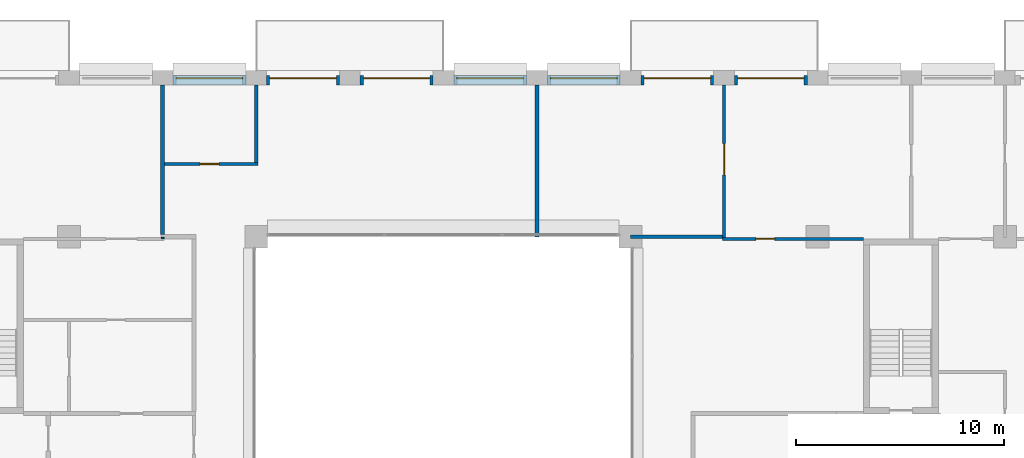
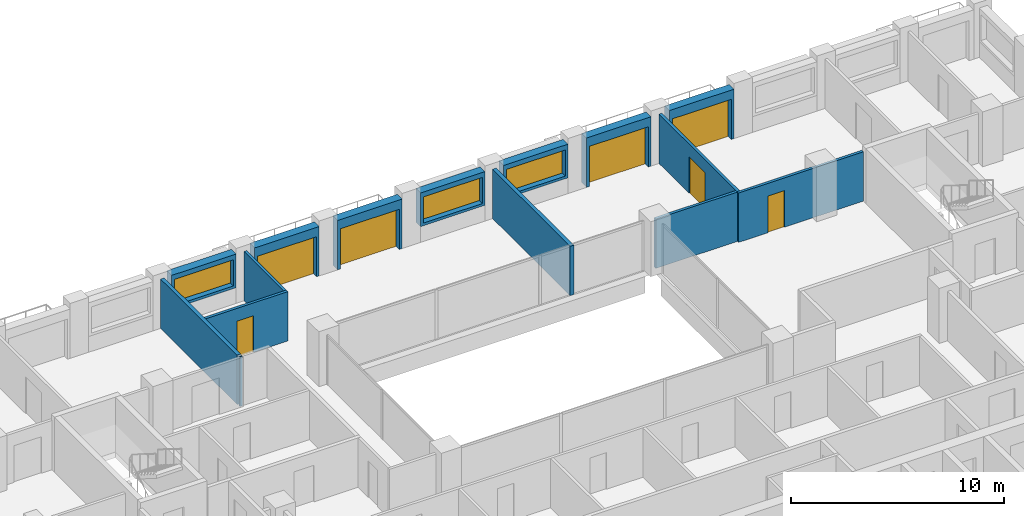
# One storey, part 13 of 16: 15 walls, 7 doors, 3 windows, 10 openings.
"""IFC4 building model written with IfcOpenShell, lengths in metres."""

from ifc_helpers import new_model, si_unit, direction, frame, frame_2d, origin, place, context, subcontext, project, spatial, rectangle, extrude, material, layer, layer_set, type_object, element, fill, save


model = new_model("IFC4")

# Units and contexts
model_context = context("Model", 3, precision=1e-05, world=origin(), true_north=direction((0.0, 1.0)))
body_context = subcontext(model_context, "Body", "Model", "MODEL_VIEW")
ifc_project = project(units=[si_unit("LENGTHUNIT", "METRE"), si_unit("AREAUNIT", "SQUARE_METRE"), si_unit("VOLUMEUNIT", "CUBIC_METRE"), si_unit("PLANEANGLEUNIT", "RADIAN"), si_unit("MASSUNIT", "GRAM", prefix="KILO")], contexts=[model_context])

# Site, building, storey
site_placement = place(None, origin())
site = spatial("IfcSite", under=ifc_project, at=site_placement, CompositionType="ELEMENT")
building_placement = place(site_placement, origin())
building = spatial("IfcBuilding", under=site, at=building_placement, Name="Brigalow Station Residences", CompositionType="ELEMENT")
storey_placement = place(building_placement, frame((0.0, 0.0, 179.10009765625)))
storey = spatial("IfcBuildingStorey", under=building, at=storey_placement, Name="L52", CompositionType="ELEMENT", Elevation=179.10009765625)

# Wall, opening, door
ifc_material_1 = material(Name="Clay brick masonry", Category="masonry")
ifc_layer_1 = layer(ifc_material_1, 0.449951171875)
ifc_layer_set_1 = layer_set([ifc_layer_1], Name="BRICK INFILL WALL 450")
wall_type_1 = type_object("IfcWallType", Name="BRICK INFILL WALL 450", PredefinedType="SOLIDWALL", material=ifc_layer_set_1)
wall_1_placement = place(storey_placement, frame((53.5, 43.02490234375, 0.0), z_axis=(0.0, 0.0, 1.0), x_axis=(-1.0, 0.0, 0.0)))
wall_1 = element("IfcWall", 1, at=wall_1_placement, inside=storey, type_object=wall_type_1, Name="L52/ewall/W-L52-25", PredefinedType="SOLIDWALL", context=body_context, shape_type="SweptSolid", body=[
    extrude(rectangle(XDim=3.5, YDim=0.449951171875, at=frame_2d((1.75, 0.0))), origin(), (0.0, 0.0, 1.0), 2.829833984375),
])
opening_1_placement = place(wall_1_placement, frame((0.14990234375, 0.0, 0.0)))
opening_1 = element("IfcOpeningElement", 2, at=opening_1_placement, cuts=wall_1, Name="Opening D-B3200", PredefinedType="OPENING", context=body_context, shape_type="SweptSolid", body=[
    extrude(rectangle(XDim=3.199951171875, YDim=2.300048828125, at=frame_2d((1.60009765625, 1.14990234375))), frame((0.0, 0.23486328125, 0.0), z_axis=(0.0, -1.0, 0.0), x_axis=(1.0, 0.0, 0.0)), (0.0, 0.0, 1.0), 0.469970703125),
])
ifc_material_2 = material(Name="Anodised aluminium frame with double glazing", Category="aluminium")
door_type_1 = type_object("IfcDoorType", Name="BALCONY SLIDING DOOR 3200x2300", OperationType="SLIDING_TO_LEFT", PredefinedType="DOOR", material=ifc_material_2)
door_1_placement = place(opening_1_placement, origin())
door_1 = element("IfcDoor", 3, at=door_1_placement, inside=storey, type_object=door_type_1, Name="L52/balcony-door/W-L52-25", OperationType="SLIDING_TO_LEFT", OverallHeight=2.300048828125, OverallWidth=3.199951171875, PredefinedType="DOOR", context=body_context, shape_type="SweptSolid", body=[
    extrude(rectangle(XDim=3.199951171875, YDim=2.300048828125, at=frame_2d((1.60009765625, 1.14990234375))), frame((0.0, -0.06982421875, 0.0), z_axis=(0.0, -1.0, 0.0), x_axis=(1.0, 0.0, 0.0)), (0.0, 0.0, 1.0), 0.050048828125),
])
fill(opening_1, door_1)

wall_2_placement = place(storey_placement, frame((49.0, 43.02490234375, 0.0), z_axis=(0.0, 0.0, 1.0), x_axis=(-1.0, 0.0, 0.0)))
wall_2 = element("IfcWall", 4, at=wall_2_placement, inside=storey, type_object=wall_type_1, Name="L52/ewall/W-L52-26", PredefinedType="SOLIDWALL", context=body_context, shape_type="SweptSolid", body=[
    extrude(rectangle(XDim=3.5, YDim=0.449951171875, at=frame_2d((1.75, 0.0))), origin(), (0.0, 0.0, 1.0), 2.829833984375),
])
opening_2_placement = place(wall_2_placement, frame((0.14990234375, 0.0, 0.0)))
opening_2 = element("IfcOpeningElement", 5, at=opening_2_placement, cuts=wall_2, Name="Opening D-B3200", PredefinedType="OPENING", context=body_context, shape_type="SweptSolid", body=[
    extrude(rectangle(XDim=3.199951171875, YDim=2.300048828125, at=frame_2d((1.60009765625, 1.14990234375))), frame((0.0, 0.23486328125, 0.0), z_axis=(0.0, -1.0, 0.0), x_axis=(1.0, 0.0, 0.0)), (0.0, 0.0, 1.0), 0.469970703125),
])
door_2_placement = place(opening_2_placement, origin())
door_2 = element("IfcDoor", 6, at=door_2_placement, inside=storey, type_object=door_type_1, Name="L52/balcony-door/W-L52-26", OperationType="SLIDING_TO_LEFT", OverallHeight=2.300048828125, OverallWidth=3.199951171875, PredefinedType="DOOR", context=body_context, shape_type="SweptSolid", body=[
    extrude(rectangle(XDim=3.199951171875, YDim=2.300048828125, at=frame_2d((1.60009765625, 1.14990234375))), frame((0.0, -0.06982421875, 0.0), z_axis=(0.0, -1.0, 0.0), x_axis=(1.0, 0.0, 0.0)), (0.0, 0.0, 1.0), 0.050048828125),
])
fill(opening_2, door_2)

# Wall, opening, window
wall_3_placement = place(storey_placement, frame((44.5, 43.02490234375, 0.89990234375), z_axis=(0.0, 0.0, 1.0), x_axis=(-1.0, 0.0, 0.0)))
wall_3 = element("IfcWall", 7, at=wall_3_placement, inside=storey, type_object=wall_type_1, Name="L52/ewall/W-L52-27", PredefinedType="SOLIDWALL", context=body_context, shape_type="SweptSolid", body=[
    extrude(rectangle(XDim=3.5, YDim=0.449951171875, at=frame_2d((1.75, 0.0))), origin(), (0.0, 0.0, 1.0), 1.929931640625),
])
opening_3_placement = place(wall_3_placement, frame((0.14990234375, 0.0, 0.14990234375)))
opening_3 = element("IfcOpeningElement", 8, at=opening_3_placement, cuts=wall_3, Name="Opening WT-9", PredefinedType="OPENING", context=body_context, shape_type="SweptSolid", body=[
    extrude(rectangle(XDim=3.199951171875, YDim=1.5, at=frame_2d((1.60009765625, 0.75))), frame((0.0, 0.23486328125, 0.0), z_axis=(0.0, -1.0, 0.0), x_axis=(1.0, 0.0, 0.0)), (0.0, 0.0, 1.0), 0.469970703125),
])
ifc_material_3 = material(Name="Anodised aluminium frame with double glazing", Category="aluminium")
window_type = type_object("IfcWindowType", Name="WINDOW 3200x1500", PartitioningType="SINGLE_PANEL", PredefinedType="WINDOW", material=ifc_material_3)
window_1_placement = place(opening_3_placement, origin())
window_1 = element("IfcWindow", 9, at=window_1_placement, inside=storey, type_object=window_type, Name="L52/window/W-L52-27", OverallHeight=1.5, OverallWidth=3.199951171875, PartitioningType="SINGLE_PANEL", PredefinedType="WINDOW", context=body_context, shape_type="SweptSolid", body=[
    extrude(rectangle(XDim=3.199951171875, YDim=1.5, at=frame_2d((1.60009765625, 0.75))), frame((0.0, -0.06494140625, 0.0), z_axis=(0.0, -1.0, 0.0), x_axis=(1.0, 0.0, 0.0)), (0.0, 0.0, 1.0), 0.06005859375),
])
fill(opening_3, window_1)

wall_4_placement = place(storey_placement, frame((40.0, 43.02490234375, 0.89990234375), z_axis=(0.0, 0.0, 1.0), x_axis=(-1.0, 0.0, 0.0)))
wall_4 = element("IfcWall", 10, at=wall_4_placement, inside=storey, type_object=wall_type_1, Name="L52/ewall/W-L52-28", PredefinedType="SOLIDWALL", context=body_context, shape_type="SweptSolid", body=[
    extrude(rectangle(XDim=3.5, YDim=0.449951171875, at=frame_2d((1.75, 0.0))), origin(), (0.0, 0.0, 1.0), 1.929931640625),
])
opening_4_placement = place(wall_4_placement, frame((0.14990234375, 0.0, 0.14990234375)))
opening_4 = element("IfcOpeningElement", 11, at=opening_4_placement, cuts=wall_4, Name="Opening WT-9", PredefinedType="OPENING", context=body_context, shape_type="SweptSolid", body=[
    extrude(rectangle(XDim=3.199951171875, YDim=1.5, at=frame_2d((1.60009765625, 0.75))), frame((0.0, 0.23486328125, 0.0), z_axis=(0.0, -1.0, 0.0), x_axis=(1.0, 0.0, 0.0)), (0.0, 0.0, 1.0), 0.469970703125),
])
window_2_placement = place(opening_4_placement, origin())
window_2 = element("IfcWindow", 12, at=window_2_placement, inside=storey, type_object=window_type, Name="L52/window/W-L52-28", OverallHeight=1.5, OverallWidth=3.199951171875, PartitioningType="SINGLE_PANEL", PredefinedType="WINDOW", context=body_context, shape_type="SweptSolid", body=[
    extrude(rectangle(XDim=3.199951171875, YDim=1.5, at=frame_2d((1.60009765625, 0.75))), frame((0.0, -0.06494140625, 0.0), z_axis=(0.0, -1.0, 0.0), x_axis=(1.0, 0.0, 0.0)), (0.0, 0.0, 1.0), 0.06005859375),
])
fill(opening_4, window_2)

# Wall, opening, door
wall_5_placement = place(storey_placement, frame((35.5, 43.02490234375, 0.0), z_axis=(0.0, 0.0, 1.0), x_axis=(-1.0, 0.0, 0.0)))
wall_5 = element("IfcWall", 13, at=wall_5_placement, inside=storey, type_object=wall_type_1, Name="L52/ewall/W-L52-29", PredefinedType="SOLIDWALL", context=body_context, shape_type="SweptSolid", body=[
    extrude(rectangle(XDim=3.5, YDim=0.449951171875, at=frame_2d((1.75, 0.0))), origin(), (0.0, 0.0, 1.0), 2.829833984375),
])
opening_5_placement = place(wall_5_placement, frame((0.14990234375, 0.0, 0.0)))
opening_5 = element("IfcOpeningElement", 14, at=opening_5_placement, cuts=wall_5, Name="Opening D-B3200", PredefinedType="OPENING", context=body_context, shape_type="SweptSolid", body=[
    extrude(rectangle(XDim=3.199951171875, YDim=2.300048828125, at=frame_2d((1.60009765625, 1.14990234375))), frame((0.0, 0.23486328125, 0.0), z_axis=(0.0, -1.0, 0.0), x_axis=(1.0, 0.0, 0.0)), (0.0, 0.0, 1.0), 0.469970703125),
])
door_3_placement = place(opening_5_placement, origin())
door_3 = element("IfcDoor", 15, at=door_3_placement, inside=storey, type_object=door_type_1, Name="L52/balcony-door/W-L52-29", OperationType="SLIDING_TO_LEFT", OverallHeight=2.300048828125, OverallWidth=3.199951171875, PredefinedType="DOOR", context=body_context, shape_type="SweptSolid", body=[
    extrude(rectangle(XDim=3.199951171875, YDim=2.300048828125, at=frame_2d((1.60009765625, 1.14990234375))), frame((0.0, -0.06982421875, 0.0), z_axis=(0.0, -1.0, 0.0), x_axis=(1.0, 0.0, 0.0)), (0.0, 0.0, 1.0), 0.050048828125),
])
fill(opening_5, door_3)

wall_6_placement = place(storey_placement, frame((31.0, 43.02490234375, 0.0), z_axis=(0.0, 0.0, 1.0), x_axis=(-1.0, 0.0, 0.0)))
wall_6 = element("IfcWall", 16, at=wall_6_placement, inside=storey, type_object=wall_type_1, Name="L52/ewall/W-L52-30", PredefinedType="SOLIDWALL", context=body_context, shape_type="SweptSolid", body=[
    extrude(rectangle(XDim=3.5, YDim=0.449951171875, at=frame_2d((1.75, 0.0))), origin(), (0.0, 0.0, 1.0), 2.829833984375),
])
opening_6_placement = place(wall_6_placement, frame((0.14990234375, 0.0, 0.0)))
opening_6 = element("IfcOpeningElement", 17, at=opening_6_placement, cuts=wall_6, Name="Opening D-B3200", PredefinedType="OPENING", context=body_context, shape_type="SweptSolid", body=[
    extrude(rectangle(XDim=3.199951171875, YDim=2.300048828125, at=frame_2d((1.60009765625, 1.14990234375))), frame((0.0, 0.23486328125, 0.0), z_axis=(0.0, -1.0, 0.0), x_axis=(1.0, 0.0, 0.0)), (0.0, 0.0, 1.0), 0.469970703125),
])
door_4_placement = place(opening_6_placement, origin())
door_4 = element("IfcDoor", 18, at=door_4_placement, inside=storey, type_object=door_type_1, Name="L52/balcony-door/W-L52-30", OperationType="SLIDING_TO_LEFT", OverallHeight=2.300048828125, OverallWidth=3.199951171875, PredefinedType="DOOR", context=body_context, shape_type="SweptSolid", body=[
    extrude(rectangle(XDim=3.199951171875, YDim=2.300048828125, at=frame_2d((1.60009765625, 1.14990234375))), frame((0.0, -0.06982421875, 0.0), z_axis=(0.0, -1.0, 0.0), x_axis=(1.0, 0.0, 0.0)), (0.0, 0.0, 1.0), 0.050048828125),
])
fill(opening_6, door_4)

# Wall, opening, window
wall_7_placement = place(storey_placement, frame((26.5, 43.02490234375, 0.89990234375), z_axis=(0.0, 0.0, 1.0), x_axis=(-1.0, 0.0, 0.0)))
wall_7 = element("IfcWall", 19, at=wall_7_placement, inside=storey, type_object=wall_type_1, Name="L52/ewall/W-L52-31", PredefinedType="SOLIDWALL", context=body_context, shape_type="SweptSolid", body=[
    extrude(rectangle(XDim=3.5, YDim=0.449951171875, at=frame_2d((1.75, 0.0))), origin(), (0.0, 0.0, 1.0), 1.929931640625),
])
opening_7_placement = place(wall_7_placement, frame((0.14990234375, 0.0, 0.14990234375)))
opening_7 = element("IfcOpeningElement", 20, at=opening_7_placement, cuts=wall_7, Name="Opening WT-9", PredefinedType="OPENING", context=body_context, shape_type="SweptSolid", body=[
    extrude(rectangle(XDim=3.199951171875, YDim=1.5, at=frame_2d((1.60009765625, 0.75))), frame((0.0, 0.23486328125, 0.0), z_axis=(0.0, -1.0, 0.0), x_axis=(1.0, 0.0, 0.0)), (0.0, 0.0, 1.0), 0.469970703125),
])
window_3_placement = place(opening_7_placement, origin())
window_3 = element("IfcWindow", 21, at=window_3_placement, inside=storey, type_object=window_type, Name="L52/window/W-L52-31", OverallHeight=1.5, OverallWidth=3.199951171875, PartitioningType="SINGLE_PANEL", PredefinedType="WINDOW", context=body_context, shape_type="SweptSolid", body=[
    extrude(rectangle(XDim=3.199951171875, YDim=1.5, at=frame_2d((1.60009765625, 0.75))), frame((0.0, -0.06494140625, 0.0), z_axis=(0.0, -1.0, 0.0), x_axis=(1.0, 0.0, 0.0)), (0.0, 0.0, 1.0), 0.06005859375),
])
fill(opening_7, window_3)

# Wall, opening, door
ifc_material_4 = material(Name="Plasterboard on steel stud partition", Category="steel")
ifc_layer_2 = layer(ifc_material_4, 0.14990234375)
ifc_layer_set_2 = layer_set([ifc_layer_2], Name="FLAT PARTITION 150")
wall_type_2 = type_object("IfcWallType", Name="FLAT PARTITION 150", PredefinedType="PARTITIONING", material=ifc_layer_set_2)
wall_8_placement = place(storey_placement, frame((49.425048828125, 35.39990234375, 0.0), z_axis=(0.0, 0.0, 1.0), x_axis=(1.0, 0.0, 0.0)))
wall_8 = element("IfcWall", 22, at=wall_8_placement, inside=storey, type_object=wall_type_2, Name="PW-3F12", PredefinedType="PARTITIONING", context=body_context, shape_type="SweptSolid", body=[
    extrude(rectangle(XDim=6.77490234375, YDim=0.14990234375, at=frame_2d((3.387451171875, 0.0))), origin(), (0.0, 0.0, 1.0), 2.829833984375),
])
opening_8_placement = place(wall_8_placement, frame((1.60009765625, 0.0, 0.0)))
opening_8 = element("IfcOpeningElement", 23, at=opening_8_placement, cuts=wall_8, Name="Opening D-3F34", PredefinedType="OPENING", context=body_context, shape_type="SweptSolid", body=[
    extrude(rectangle(XDim=0.89990234375, YDim=2.10009765625, at=frame_2d((0.449951171875, 1.050048828125))), frame((0.0, 0.0849609375, 0.0), z_axis=(0.0, -1.0, 0.0), x_axis=(1.0, 0.0, 0.0)), (0.0, 0.0, 1.0), 0.169921875),
])
ifc_material_5 = material(Name="Solid-core timber door leaf", Category="wood")
door_type_2 = type_object("IfcDoorType", Name="INTERNAL DOOR 900 x 2100", OperationType="SINGLE_SWING_LEFT", PredefinedType="DOOR", material=ifc_material_5)
door_5_placement = place(opening_8_placement, origin())
door_5 = element("IfcDoor", 24, at=door_5_placement, inside=storey, type_object=door_type_2, Name="D-3F34", OperationType="SINGLE_SWING_LEFT", OverallHeight=2.10009765625, OverallWidth=0.89990234375, PredefinedType="DOOR", context=body_context, shape_type="SweptSolid", body=[
    extrude(rectangle(XDim=0.89990234375, YDim=2.10009765625, at=frame_2d((0.449951171875, 1.050048828125))), frame((0.0, 0.02490234375, 0.0), z_axis=(0.0, -1.0, 0.0), x_axis=(1.0, 0.0, 0.0)), (0.0, 0.0, 1.0), 0.050048828125),
])
fill(opening_8, door_5)

# Wall
wall_9_placement = place(storey_placement, frame((45.0, 35.5, 0.0), z_axis=(0.0, 0.0, 1.0), x_axis=(1.0, 0.0, 0.0)))
element("IfcWall", 25, at=wall_9_placement, inside=storey, type_object=wall_type_2, Name="PW-3F14", PredefinedType="PARTITIONING", context=body_context, shape_type="SweptSolid", body=[
    extrude(rectangle(XDim=4.425048828125, YDim=0.14990234375, at=frame_2d((2.21240234375, 0.0))), origin(), (0.0, 0.0, 1.0), 2.829833984375),
])

# Wall, opening, door
wall_10_placement = place(storey_placement, frame((22.60009765625, 39.0, 0.0), z_axis=(0.0, 0.0, 1.0), x_axis=(1.0, 0.0, 0.0)))
wall_10 = element("IfcWall", 26, at=wall_10_placement, inside=storey, type_object=wall_type_2, Name="PW-3F26", PredefinedType="PARTITIONING", context=body_context, shape_type="SweptSolid", body=[
    extrude(rectangle(XDim=4.474853515625, YDim=0.14990234375, at=frame_2d((2.2373046875, 0.0))), origin(), (0.0, 0.0, 1.0), 2.829833984375),
])
opening_9_placement = place(wall_10_placement, frame((1.699951171875, 0.0, 0.0)))
opening_9 = element("IfcOpeningElement", 27, at=opening_9_placement, cuts=wall_10, Name="Opening D-3F37", PredefinedType="OPENING", context=body_context, shape_type="SweptSolid", body=[
    extrude(rectangle(XDim=0.89990234375, YDim=2.10009765625, at=frame_2d((0.449951171875, 1.050048828125))), frame((0.0, 0.0849609375, 0.0), z_axis=(0.0, -1.0, 0.0), x_axis=(1.0, 0.0, 0.0)), (0.0, 0.0, 1.0), 0.169921875),
])
door_6_placement = place(opening_9_placement, origin())
door_6 = element("IfcDoor", 28, at=door_6_placement, inside=storey, type_object=door_type_2, Name="D-3F37", OperationType="SINGLE_SWING_LEFT", OverallHeight=2.10009765625, OverallWidth=0.89990234375, PredefinedType="DOOR", context=body_context, shape_type="SweptSolid", body=[
    extrude(rectangle(XDim=0.89990234375, YDim=2.10009765625, at=frame_2d((0.449951171875, 1.050048828125))), frame((0.0, 0.02490234375, 0.0), z_axis=(0.0, -1.0, 0.0), x_axis=(1.0, 0.0, 0.0)), (0.0, 0.0, 1.0), 0.050048828125),
])
fill(opening_9, door_6)

# Wall
wall_11_placement = place(storey_placement, frame((22.5, 35.39990234375, 0.0), z_axis=(0.0, 0.0, 1.0), x_axis=(0.0, 1.0, 0.0)))
element("IfcWall", 29, at=wall_11_placement, inside=storey, type_object=wall_type_2, Name="PW-3F38", PredefinedType="PARTITIONING", context=body_context, shape_type="SweptSolid", body=[
    extrude(rectangle(XDim=0.0751953125, YDim=0.14990234375, at=frame_2d((0.03759765625, 0.0))), origin(), (0.0, 0.0, 1.0), 2.829833984375),
])

# Wall, opening, door
wall_12_placement = place(storey_placement, frame((49.5, 35.47509765625, 0.0), z_axis=(0.0, 0.0, 1.0), x_axis=(0.0, 1.0, 0.0)))
wall_12 = element("IfcWall", 30, at=wall_12_placement, inside=storey, type_object=wall_type_2, Name="PW-3F52", PredefinedType="PARTITIONING", context=body_context, shape_type="SweptSolid", body=[
    extrude(rectangle(XDim=7.324951171875, YDim=0.14990234375, at=frame_2d((3.66259765625, 0.0))), origin(), (0.0, 0.0, 1.0), 2.829833984375),
])
opening_10_placement = place(wall_12_placement, frame((3.0, 0.0, 0.0)))
opening_10 = element("IfcOpeningElement", 31, at=opening_10_placement, cuts=wall_12, Name="Opening D-3F33", PredefinedType="OPENING", context=body_context, shape_type="SweptSolid", body=[
    extrude(rectangle(XDim=1.5, YDim=2.10009765625, at=frame_2d((0.75, 1.050048828125))), frame((0.0, 0.0849609375, 0.0), z_axis=(0.0, -1.0, 0.0), x_axis=(1.0, 0.0, 0.0)), (0.0, 0.0, 1.0), 0.169921875),
])
ifc_material_6 = material(Name="Solid-core timber door leaf", Category="wood")
door_type_3 = type_object("IfcDoorType", Name="INTERNAL DOUBLE DOOR 1500 x 2100", OperationType="DOUBLE_DOOR_SINGLE_SWING", PredefinedType="DOOR", material=ifc_material_6)
door_7_placement = place(opening_10_placement, origin())
door_7 = element("IfcDoor", 32, at=door_7_placement, inside=storey, type_object=door_type_3, Name="D-3F33", OperationType="DOUBLE_DOOR_SINGLE_SWING", OverallHeight=2.10009765625, OverallWidth=1.5, PredefinedType="DOOR", context=body_context, shape_type="SweptSolid", body=[
    extrude(rectangle(XDim=1.5, YDim=2.10009765625, at=frame_2d((0.75, 1.050048828125))), frame((0.0, 0.02490234375, 0.0), z_axis=(0.0, -1.0, 0.0), x_axis=(1.0, 0.0, 0.0)), (0.0, 0.0, 1.0), 0.050048828125),
])
fill(opening_10, door_7)

# Walls
wall_13_placement = place(storey_placement, frame((27.0, 39.074951171875, 0.0), z_axis=(0.0, 0.0, 1.0), x_axis=(0.0, 1.0, 0.0)))
element("IfcWall", 33, at=wall_13_placement, inside=storey, type_object=wall_type_2, Name="PW-3F54", PredefinedType="PARTITIONING", context=body_context, shape_type="SweptSolid", body=[
    extrude(rectangle(XDim=3.72509765625, YDim=0.14990234375, at=frame_2d((1.862548828125, 0.0))), origin(), (0.0, 0.0, 1.0), 2.829833984375),
])
ifc_material_7 = material(Name="Plasterboard on steel stud partition", Category="steel")
ifc_layer_3 = layer(ifc_material_7, 0.199951171875)
ifc_layer_set_3 = layer_set([ifc_layer_3], Name="PARTY AND CORRIDOR WALL 200")
wall_type_3 = type_object("IfcWallType", Name="PARTY AND CORRIDOR WALL 200", PredefinedType="PARTITIONING", material=ifc_layer_set_3)
wall_14_placement = place(storey_placement, frame((22.5, 35.60009765625, 0.0), z_axis=(0.0, 0.0, 1.0), x_axis=(0.0, 1.0, 0.0)))
element("IfcWall", 34, at=wall_14_placement, inside=storey, type_object=wall_type_3, Name="PW-3F39", PredefinedType="PARTITIONING", context=body_context, shape_type="SweptSolid", body=[
    extrude(rectangle(XDim=7.199951171875, YDim=0.199951171875, at=frame_2d((3.60009765625, 0.0))), origin(), (0.0, 0.0, 1.0), 2.829833984375),
])
wall_15_placement = place(storey_placement, frame((40.5, 35.5, 0.0), z_axis=(0.0, 0.0, 1.0), x_axis=(0.0, 1.0, 0.0)))
element("IfcWall", 35, at=wall_15_placement, inside=storey, type_object=wall_type_3, Name="PW-3F53", PredefinedType="PARTITIONING", context=body_context, shape_type="SweptSolid", body=[
    extrude(rectangle(XDim=7.300048828125, YDim=0.199951171875, at=frame_2d((3.64990234375, 0.0))), origin(), (0.0, 0.0, 1.0), 2.829833984375),
])

save(model, "model.ifc")
